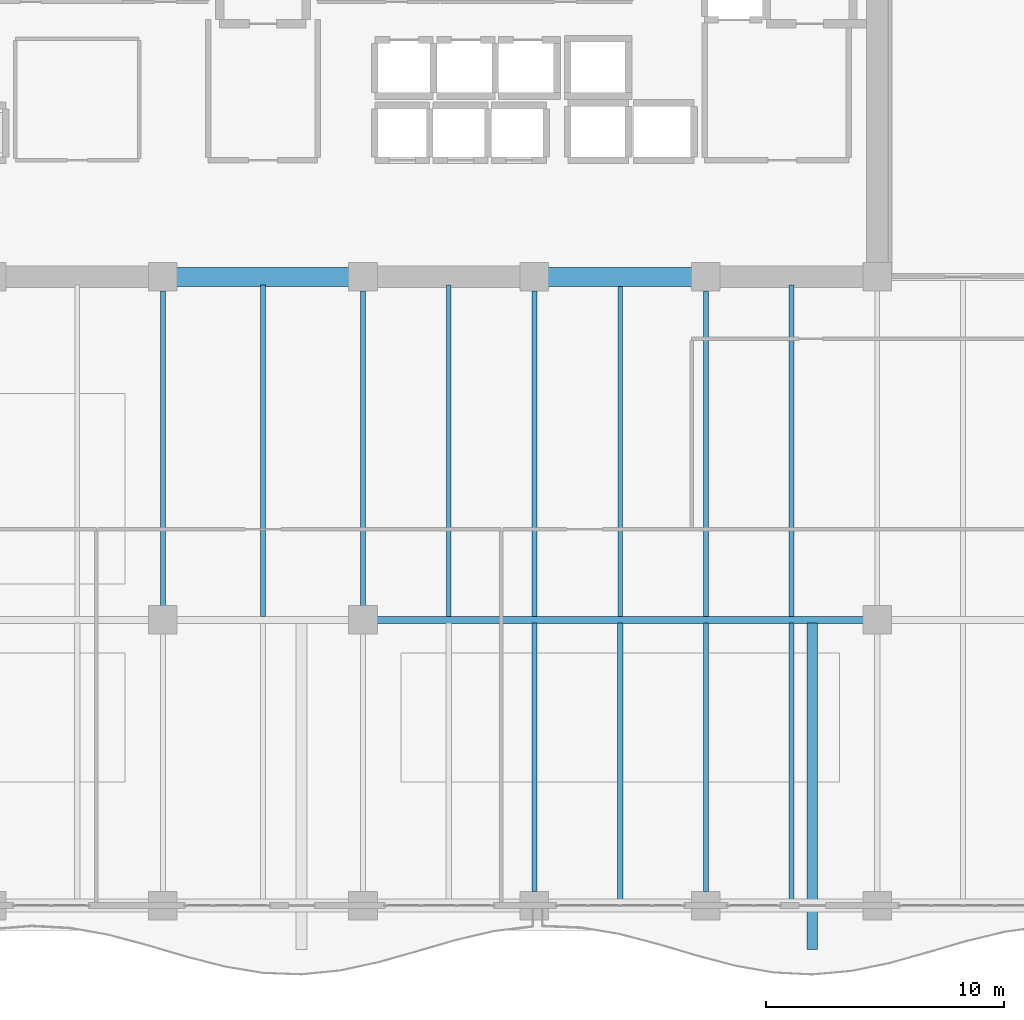
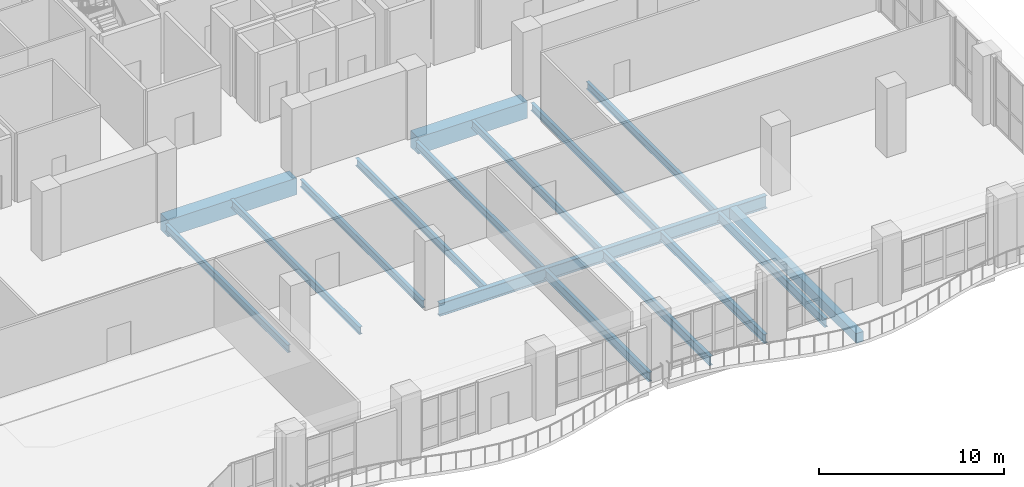
# One storey, part 15 of 37: 16 beams.
"""IFC4 building model written with IfcOpenShell, lengths in metres."""

from ifc_helpers import new_model, si_unit, direction, frame, origin, origin_2d, place, context, subcontext, project, spatial, rectangle, i_section, extrude, material, material_profile, profile_set, type_object, element, save


model = new_model("IFC4")

# Units and contexts
model_context = context("Model", 3, precision=1e-05, world=origin(), true_north=direction((0.0, 1.0)))
body_context = subcontext(model_context, "Body", "Model", "MODEL_VIEW")
ifc_project = project(units=[si_unit("LENGTHUNIT", "METRE"), si_unit("AREAUNIT", "SQUARE_METRE"), si_unit("VOLUMEUNIT", "CUBIC_METRE"), si_unit("PLANEANGLEUNIT", "RADIAN"), si_unit("MASSUNIT", "GRAM", prefix="KILO")], contexts=[model_context])

# Site, building, storey
site_placement = place(None, origin())
site = spatial("IfcSite", under=ifc_project, at=site_placement, CompositionType="ELEMENT")
building_placement = place(site_placement, origin())
building = spatial("IfcBuilding", under=site, at=building_placement, Name="Kaelvorn Grand Hotel", CompositionType="ELEMENT")
storey_placement = place(building_placement, frame((0.0, 0.0, 224.35009765625)))
storey = spatial("IfcBuildingStorey", under=building, at=storey_placement, Name="L55", CompositionType="ELEMENT", Elevation=224.35009765625)

# Beams
ifc_material_1 = material(Name="Steel S355", Category="steel")
ifc_material_profile_1 = material_profile(ifc_material_1, i_section(OverallWidth=0.29248046875, OverallDepth=0.8408203125, WebThickness=0.0146484375, FlangeThickness=0.021728515625, FilletRadius=0.017822265625, at=origin_2d()), Name="UB 838x292x194")
ifc_profile_set_1 = profile_set([ifc_material_profile_1], Name="Steel S355")
beam_type_1 = type_object("IfcBeamType", Name="BM-G-UB838-S355", PredefinedType="BEAM", material=ifc_profile_set_1)
beam_1_placement = place(storey_placement, frame((46.784912109375, 15.0, -0.660400390625), z_axis=(1.0, 0.0, 0.0), x_axis=(0.0, 1.0, 0.0)))
element("IfcBeam", 1, at=beam_1_placement, inside=storey, type_object=beam_type_1, Name="L55 Primary Spine Steel Girder G-15 05", PredefinedType="BEAM", context=body_context, shape_type="SweptSolid", body=[
    extrude(i_section(OverallWidth=0.29248046875, OverallDepth=0.8408203125, WebThickness=0.0146484375, FlangeThickness=0.021728515625, FilletRadius=0.017822265625, at=origin_2d()), origin(), (0.0, 0.0, 1.0), 20.43017578125),
])
ifc_material_profile_2 = material_profile(ifc_material_1, i_section(OverallWidth=0.199951171875, OverallDepth=0.5, WebThickness=0.01025390625, FlangeThickness=0.01611328125, FilletRadius=0.02099609375, at=origin_2d()), Name="IPE 500")
ifc_profile_set_2 = profile_set([ifc_material_profile_2], Name="Steel S355")
beam_type_2 = type_object("IfcBeamType", Name="BM-J-IPE500-S355", PredefinedType="JOIST", material=ifc_profile_set_2)
beam_2_placement = place(storey_placement, frame((37.800048828125, 15.5849609375, -0.489990234375), z_axis=(0.0, 1.0, 0.0), x_axis=(-1.0, 0.0, 0.0)))
element("IfcBeam", 2, at=beam_2_placement, inside=storey, type_object=beam_type_2, Name="L55 Composite Floor Joist JM-11", PredefinedType="JOIST", context=body_context, shape_type="SweptSolid", body=[
    extrude(i_section(OverallWidth=0.199951171875, OverallDepth=0.5, WebThickness=0.01025390625, FlangeThickness=0.01611328125, FilletRadius=0.02099609375, at=origin_2d()), origin(), (0.0, 0.0, 1.0), 13.22998046875),
])
beam_3_placement = place(storey_placement, frame((42.0, 15.131103515625, -0.489990234375), z_axis=(0.0, 1.0, 0.0), x_axis=(-1.0, 0.0, 0.0)))
element("IfcBeam", 3, at=beam_3_placement, inside=storey, type_object=beam_type_2, Name="L55 Composite Floor Joist JM-12", PredefinedType="JOIST", context=body_context, shape_type="SweptSolid", body=[
    extrude(i_section(OverallWidth=0.199951171875, OverallDepth=0.5, WebThickness=0.01025390625, FlangeThickness=0.01611328125, FilletRadius=0.02099609375, at=origin_2d()), origin(), (0.0, 0.0, 1.0), 13.928955078125),
])
beam_4_placement = place(storey_placement, frame((46.199951171875, 15.5849609375, -0.489990234375), z_axis=(0.0, 1.0, 0.0), x_axis=(-1.0, 0.0, 0.0)))
element("IfcBeam", 4, at=beam_4_placement, inside=storey, type_object=beam_type_2, Name="L55 Composite Floor Joist JM-13", PredefinedType="JOIST", context=body_context, shape_type="SweptSolid", body=[
    extrude(i_section(OverallWidth=0.199951171875, OverallDepth=0.5, WebThickness=0.01025390625, FlangeThickness=0.01611328125, FilletRadius=0.02099609375, at=origin_2d()), origin(), (0.0, 0.0, 1.0), 13.22998046875),
])
beam_5_placement = place(storey_placement, frame((49.800048828125, 15.131103515625, -0.489990234375), z_axis=(0.0, 1.0, 0.0), x_axis=(-1.0, 0.0, 0.0)))
element("IfcBeam", 5, at=beam_5_placement, inside=storey, type_object=beam_type_2, Name="L55 Composite Floor Joist JM-14", PredefinedType="JOIST", context=body_context, shape_type="SweptSolid", body=[
    extrude(i_section(OverallWidth=0.199951171875, OverallDepth=0.5, WebThickness=0.01025390625, FlangeThickness=0.01611328125, FilletRadius=0.02099609375, at=origin_2d()), origin(), (0.0, 0.0, 1.0), 13.928955078125),
])
beam_6_placement = place(storey_placement, frame((53.39990234375, 15.131103515625, -0.489990234375), z_axis=(0.0, 1.0, 0.0), x_axis=(-1.0, 0.0, 0.0)))
element("IfcBeam", 6, at=beam_6_placement, inside=storey, type_object=beam_type_2, Name="L55 Composite Floor Joist JM-15", PredefinedType="JOIST", context=body_context, shape_type="SweptSolid", body=[
    extrude(i_section(OverallWidth=0.199951171875, OverallDepth=0.5, WebThickness=0.01025390625, FlangeThickness=0.01611328125, FilletRadius=0.02099609375, at=origin_2d()), origin(), (0.0, 0.0, 1.0), 13.683837890625),
])
beam_7_placement = place(storey_placement, frame((57.0, 15.131103515625, -0.489990234375), z_axis=(0.0, 1.0, 0.0), x_axis=(-1.0, 0.0, 0.0)))
element("IfcBeam", 7, at=beam_7_placement, inside=storey, type_object=beam_type_2, Name="L55 Composite Floor Joist JM-16", PredefinedType="JOIST", context=body_context, shape_type="SweptSolid", body=[
    extrude(i_section(OverallWidth=0.199951171875, OverallDepth=0.5, WebThickness=0.01025390625, FlangeThickness=0.01611328125, FilletRadius=0.02099609375, at=origin_2d()), origin(), (0.0, 0.0, 1.0), 13.928955078125),
])
beam_8_placement = place(storey_placement, frame((60.60009765625, 15.131103515625, -0.489990234375), z_axis=(0.0, 1.0, 0.0), x_axis=(-1.0, 0.0, 0.0)))
element("IfcBeam", 8, at=beam_8_placement, inside=storey, type_object=beam_type_2, Name="L55 Composite Floor Joist JM-17", PredefinedType="JOIST", context=body_context, shape_type="SweptSolid", body=[
    extrude(i_section(OverallWidth=0.199951171875, OverallDepth=0.5, WebThickness=0.01025390625, FlangeThickness=0.01611328125, FilletRadius=0.02099609375, at=origin_2d()), origin(), (0.0, 0.0, 1.0), 13.683837890625),
])
beam_9_placement = place(storey_placement, frame((64.199951171875, 15.131103515625, -0.489990234375), z_axis=(0.0, 1.0, 0.0), x_axis=(-1.0, 0.0, 0.0)))
element("IfcBeam", 9, at=beam_9_placement, inside=storey, type_object=beam_type_2, Name="L55 Composite Floor Joist JM-18", PredefinedType="JOIST", context=body_context, shape_type="SweptSolid", body=[
    extrude(i_section(OverallWidth=0.199951171875, OverallDepth=0.5, WebThickness=0.01025390625, FlangeThickness=0.01611328125, FilletRadius=0.02099609375, at=origin_2d()), origin(), (0.0, 0.0, 1.0), 13.928955078125),
])
ifc_material_profile_3 = material_profile(ifc_material_1, i_section(OverallWidth=0.219970703125, OverallDepth=0.60009765625, WebThickness=0.011962890625, FlangeThickness=0.01904296875, FilletRadius=0.02392578125, at=origin_2d()), Name="IPE 600")
ifc_profile_set_3 = profile_set([ifc_material_profile_3], Name="Steel S355")
beam_type_3 = type_object("IfcBeamType", Name="BM-J-IPE600-S355", PredefinedType="JOIST", material=ifc_profile_set_3)
beam_10_placement = place(storey_placement, frame((53.39990234375, 3.5849609375, -0.5400390625), z_axis=(0.0, 1.0, 0.0), x_axis=(-1.0, 0.0, 0.0)))
element("IfcBeam", 10, at=beam_10_placement, inside=storey, type_object=beam_type_3, Name="L55 Composite Floor Joist JS-15", PredefinedType="JOIST", context=body_context, shape_type="SweptSolid", body=[
    extrude(i_section(OverallWidth=0.219970703125, OverallDepth=0.60009765625, WebThickness=0.011962890625, FlangeThickness=0.01904296875, FilletRadius=0.02392578125, at=origin_2d()), origin(), (0.0, 0.0, 1.0), 11.283935546875),
])
beam_11_placement = place(storey_placement, frame((57.0, 3.260009765625, -0.5400390625), z_axis=(0.0, 1.0, 0.0), x_axis=(-1.0, 0.0, 0.0)))
element("IfcBeam", 11, at=beam_11_placement, inside=storey, type_object=beam_type_3, Name="L55 Composite Floor Joist JS-16", PredefinedType="JOIST", context=body_context, shape_type="SweptSolid", body=[
    extrude(i_section(OverallWidth=0.219970703125, OverallDepth=0.60009765625, WebThickness=0.011962890625, FlangeThickness=0.01904296875, FilletRadius=0.02392578125, at=origin_2d()), origin(), (0.0, 0.0, 1.0), 11.60888671875),
])
beam_12_placement = place(storey_placement, frame((60.60009765625, 3.5849609375, -0.5400390625), z_axis=(0.0, 1.0, 0.0), x_axis=(-1.0, 0.0, 0.0)))
element("IfcBeam", 12, at=beam_12_placement, inside=storey, type_object=beam_type_3, Name="L55 Composite Floor Joist JS-17", PredefinedType="JOIST", context=body_context, shape_type="SweptSolid", body=[
    extrude(i_section(OverallWidth=0.219970703125, OverallDepth=0.60009765625, WebThickness=0.011962890625, FlangeThickness=0.01904296875, FilletRadius=0.02392578125, at=origin_2d()), origin(), (0.0, 0.0, 1.0), 11.283935546875),
])
beam_13_placement = place(storey_placement, frame((64.199951171875, 3.260009765625, -0.5400390625), z_axis=(0.0, 1.0, 0.0), x_axis=(-1.0, 0.0, 0.0)))
element("IfcBeam", 13, at=beam_13_placement, inside=storey, type_object=beam_type_3, Name="L55 Composite Floor Joist JS-18", PredefinedType="JOIST", context=body_context, shape_type="SweptSolid", body=[
    extrude(i_section(OverallWidth=0.219970703125, OverallDepth=0.60009765625, WebThickness=0.011962890625, FlangeThickness=0.01904296875, FilletRadius=0.02392578125, at=origin_2d()), origin(), (0.0, 0.0, 1.0), 11.60888671875),
])
ifc_material_2 = material(Name="Concrete C60/75", Category="concrete")
ifc_material_profile_4 = material_profile(ifc_material_2, rectangle(XDim=0.800048828125, YDim=1.10009765625, at=origin_2d()), Name="RC LINTEL 800x1100")
ifc_profile_set_4 = profile_set([ifc_material_profile_4], Name="Concrete C60/75")
beam_type_4 = type_object("IfcBeamType", Name="BM-LIN-800x1100-C60", PredefinedType="LINTEL", material=ifc_profile_set_4)
beam_14_placement = place(storey_placement, frame((37.97998046875, 29.39990234375, -0.7900390625), z_axis=(1.0, 0.0, 0.0), x_axis=(0.0, 1.0, 0.0)))
element("IfcBeam", 14, at=beam_14_placement, inside=storey, type_object=beam_type_4, Name="L55 Rear-Core Coupling Lintel Beam CB1-02", PredefinedType="LINTEL", context=body_context, shape_type="SweptSolid", body=[
    extrude(rectangle(XDim=0.800048828125, YDim=1.10009765625, at=origin_2d()), origin(), (0.0, 0.0, 1.0), 8.0400390625),
])
beam_15_placement = place(storey_placement, frame((53.580078125, 29.39990234375, -0.7900390625), z_axis=(1.0, 0.0, 0.0), x_axis=(0.0, 1.0, 0.0)))
element("IfcBeam", 15, at=beam_15_placement, inside=storey, type_object=beam_type_4, Name="L55 Rear-Core Coupling Lintel Beam CB1-03", PredefinedType="LINTEL", context=body_context, shape_type="SweptSolid", body=[
    extrude(rectangle(XDim=0.800048828125, YDim=1.10009765625, at=origin_2d()), origin(), (0.0, 0.0, 1.0), 6.83984375),
])
ifc_material_3 = material(Name="Concrete C40/50", Category="concrete")
ifc_material_profile_5 = material_profile(ifc_material_3, rectangle(XDim=0.449951171875, YDim=0.64990234375, at=origin_2d()), Name="RC RIB 450x650")
ifc_profile_set_5 = profile_set([ifc_material_profile_5], Name="Concrete C40/50")
beam_type_5 = type_object("IfcBeamType", Name="BM-RIB-450x650-C40", PredefinedType="SPANDREL", material=ifc_profile_set_5)
beam_16_placement = place(storey_placement, frame((65.066650390625, 1.14990234375, -0.545166015625), z_axis=(0.0, 1.0, 0.0), x_axis=(-1.0, 0.0, 0.0)))
element("IfcBeam", 16, at=beam_16_placement, inside=storey, type_object=beam_type_5, Name="L55 Cantilevered Balcony Back-Span Rib RB1-3", PredefinedType="SPANDREL", context=body_context, shape_type="SweptSolid", body=[
    extrude(rectangle(XDim=0.449951171875, YDim=0.64990234375, at=origin_2d()), origin(), (0.0, 0.0, 1.0), 13.718994140625),
])

save(model, "model.ifc")
